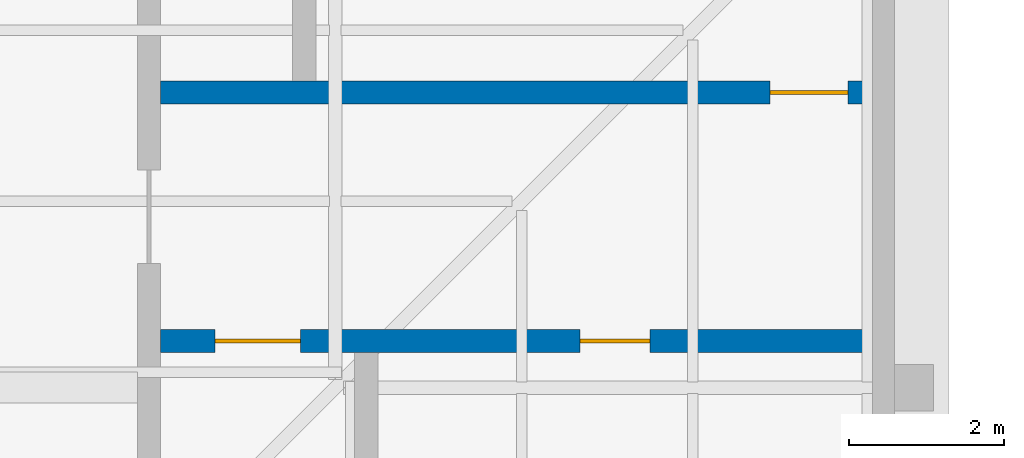
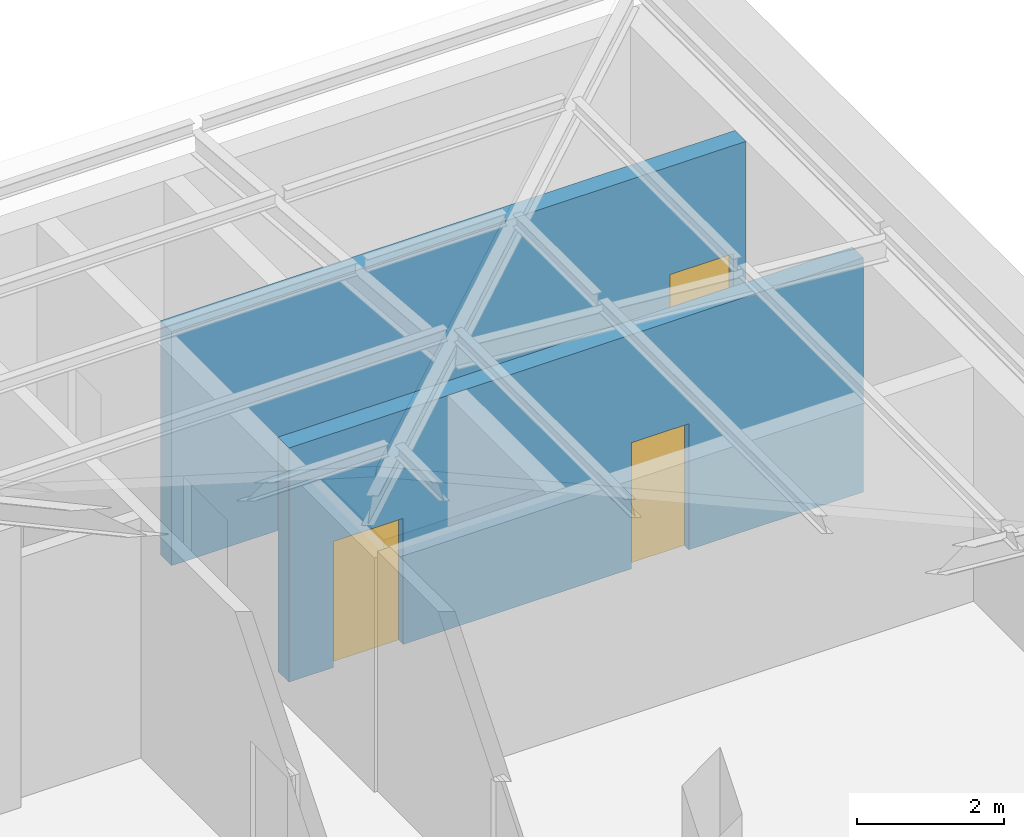
# One storey, part 34 of 48: 3 doors, 2 walls, 3 openings.
"""IFC4 building model written with IfcOpenShell, lengths in metres."""

import ifcopenshell
import ifcopenshell.guid

model = None  # the IFC model being written
_history = None  # IfcOwnerHistory: only IFC2X3 demands one
_inside = {}  # id of a spatial element -> (the spatial element, [elements in it])
_under = {}  # id of a project, library or spatial element -> (it, [spatial elements below it])
_declared = {}  # id of a project -> (the project, [libraries it declares])
_typed = {}  # id of a type object -> (the type object, [elements of that type])
_made_of = {}  # id of a material, layer set ... -> (it, [elements and type objects made of it])


def new_model(schema):
    """Start an empty IFC model of exactly this schema.

    Asked for "IFC4X3", IfcOpenShell would pick the latest addendum, in which some entities
    have other attributes; the version numbers below select the first issue.
    IFC2X3 requires an IfcOwnerHistory on every rooted entity: one is made here for all.
    """
    global model, _history
    if schema == "IFC4X3":
        model = ifcopenshell.file(schema_version=(4, 3, 0, 0))
    else:
        model = ifcopenshell.file(schema=schema)
    _inside.clear()
    _under.clear()
    _declared.clear()
    _typed.clear()
    _made_of.clear()
    _history = None
    if model.schema == "IFC2X3":
        org = make("IfcOrganization", Name="unknown")
        user = make(
            "IfcPersonAndOrganization",
            ThePerson=make("IfcPerson", FamilyName="unknown"),
            TheOrganization=org,
        )
        app = make(
            "IfcApplication",
            ApplicationDeveloper=org,
            Version="unknown",
            ApplicationFullName="unknown",
            ApplicationIdentifier="unknown",
        )
        _history = make(
            "IfcOwnerHistory",
            OwningUser=user,
            OwningApplication=app,
            ChangeAction="ADDED",
            CreationDate=0,
        )
    return model


def make(cls, **values):
    """One entity of the class cls with the attributes given. An attribute that is None is left unset."""
    return model.create_entity(
        cls, **{name: value for name, value in values.items() if value is not None}
    )


def rooted(cls, **values):
    """An entity with a GlobalId (a new one), such as an element, a storey or a relation."""
    return make(cls, GlobalId=ifcopenshell.guid.new(), OwnerHistory=_history, **values)


def si_unit(unit_type, name, prefix=None):
    """IfcSIUnit, for example si_unit("LENGTHUNIT", "METRE", prefix="MILLI")."""
    return make("IfcSIUnit", UnitType=unit_type, Prefix=prefix, Name=name)


def assignment(units):
    """IfcUnitAssignment: the units of a project."""
    return None if units is None else make("IfcUnitAssignment", Units=units)


def point(xyz):
    """IfcCartesianPoint."""
    return None if xyz is None else make("IfcCartesianPoint", Coordinates=xyz)


def direction(xyz):
    """IfcDirection."""
    return None if xyz is None else make("IfcDirection", DirectionRatios=xyz)


def frame(location, z_axis=None, x_axis=None):
    """IfcAxis2Placement3D, a coordinate frame: its origin and axes. An axis left out is left unset."""
    return make(
        "IfcAxis2Placement3D",
        Location=point(location),
        Axis=direction(z_axis),
        RefDirection=direction(x_axis),
    )


def frame_2d(location, x_axis=None):
    """IfcAxis2Placement2D, a coordinate frame in the plane: its origin and x axis."""
    return make(
        "IfcAxis2Placement2D", Location=point(location), RefDirection=direction(x_axis)
    )


def origin():
    """The frame at (0, 0, 0) with its axes left unset."""
    return frame((0.0, 0.0, 0.0))


def place(relative_to, where):
    """IfcLocalPlacement: puts the frame where relative to a parent placement (None: the world)."""
    return make(
        "IfcLocalPlacement", PlacementRelTo=relative_to, RelativePlacement=where
    )


def context(
    kind, dimensions, precision=None, world=None, true_north=None, identifier=None
):
    """IfcGeometricRepresentationContext, for example the 3D "Model" context."""
    return make(
        "IfcGeometricRepresentationContext",
        ContextIdentifier=identifier,
        ContextType=kind,
        CoordinateSpaceDimension=dimensions,
        Precision=precision,
        WorldCoordinateSystem=world,
        TrueNorth=true_north,
    )


def subcontext(parent, identifier, kind, view, scale=None):
    """IfcGeometricRepresentationSubContext, for example "Body" below "Model"."""
    return make(
        "IfcGeometricRepresentationSubContext",
        ContextIdentifier=identifier,
        ContextType=kind,
        ParentContext=parent,
        TargetScale=scale,
        TargetView=view,
    )


def project(units=None, contexts=None):
    """IfcProject with its units and contexts."""
    return rooted(
        "IfcProject",
        Name="project",
        RepresentationContexts=contexts,
        UnitsInContext=assignment(units),
    )


def spatial(cls, under=None, at=None, **own):
    """A site, building, storey or space (cls), placed at a placement, below another one or the project."""
    s = rooted(cls, ObjectPlacement=at, **own)
    if under is not None:
        _under.setdefault(under.id(), (under, []))[1].append(s)
    return s


def profile(cls, at=None, kind="AREA", **sizes):
    """A parametric profile (cls). Its sizes go by their IFC names, for example OverallWidth=200.0."""
    return make(cls, ProfileType=kind, Position=at, **sizes)


def rectangle(**sizes):
    """IfcRectangleProfileDef."""
    return profile("IfcRectangleProfileDef", **sizes)


def extrude(swept, where, along, depth):
    """IfcExtrudedAreaSolid: the profile swept, set in the frame where, extruded along a direction by depth."""
    return make(
        "IfcExtrudedAreaSolid",
        SweptArea=swept,
        Position=where,
        ExtrudedDirection=direction(along),
        Depth=depth,
    )


def shape(context_of_items, identifier, shape_type, items):
    """IfcShapeRepresentation: the items that make up one representation, for example the "Body"."""
    return make(
        "IfcShapeRepresentation",
        ContextOfItems=context_of_items,
        RepresentationIdentifier=identifier,
        RepresentationType=shape_type,
        Items=items,
    )


def material(Name=None, Category=None):
    """IfcMaterial."""
    return make("IfcMaterial", Name=Name, Category=Category)


def layer(
    of_material, thickness, ventilated=None, Name=None, Category=None, Priority=None
):
    """IfcMaterialLayer: one layer of a wall or slab, of a material (None: an air gap)."""
    return make(
        "IfcMaterialLayer",
        Material=of_material,
        LayerThickness=thickness,
        IsVentilated=ventilated,
        Name=Name,
        Category=Category,
        Priority=Priority,
    )


def layer_set(layers, Name=None):
    """IfcMaterialLayerSet."""
    return make("IfcMaterialLayerSet", MaterialLayers=layers, LayerSetName=Name)


def made_of(thing, what):
    """Note that an element or type object is made of a material, layer set ...; save() writes the relation."""
    if what is not None:
        _made_of.setdefault(what.id(), (what, []))[1].append(thing)
    return thing


def type_object(cls, material=None, **own):
    """A type object (cls), such as IfcWallType, which elements share."""
    return made_of(rooted(cls, **own), material)


def element(
    cls,
    number,
    at=None,
    inside=None,
    cuts=None,
    type_object=None,
    material=None,
    context=None,
    identifier="Body",
    shape_type=None,
    held_by="IfcProductDefinitionShape",
    body=None,
    shapes=None,
    **own,
):
    """One element of the class cls, such as IfcWall. Its Tag is "e" and its number.

    at: its placement. inside: the storey or other place that contains it. cuts: it is an
    opening in that element (IfcRelVoidsElement). A single representation is given by context,
    identifier, shape_type and body (its items); several are given by shapes. held_by: the class
    of the entity that holds the representations. save() writes the other relations.
    """
    e = rooted(cls, Tag="e%d" % number, ObjectPlacement=at, **own)
    if body is not None:
        shapes = [shape(context, identifier, shape_type, body)]
    if shapes is not None:
        e.Representation = make(held_by, Representations=shapes)
    if inside is not None:
        _inside.setdefault(inside.id(), (inside, []))[1].append(e)
    if cuts is not None:
        rooted(
            "IfcRelVoidsElement", RelatingBuildingElement=cuts, RelatedOpeningElement=e
        )
    if type_object is not None:
        _typed.setdefault(type_object.id(), (type_object, []))[1].append(e)
    return made_of(e, material)


def fill(opening, filler):
    """IfcRelFillsElement: the door or window that sits in an opening."""
    return rooted(
        "IfcRelFillsElement",
        RelatingOpeningElement=opening,
        RelatedBuildingElement=filler,
    )


def aggregate(whole, parts):
    """IfcRelAggregates: a whole, such as a stair, and the parts it consists of."""
    return rooted("IfcRelAggregates", RelatingObject=whole, RelatedObjects=parts)


def save(model, path):
    """Write the relations noted so far, then the file.

    IfcRelAggregates (storeys below a building ...), IfcRelContainedInSpatialStructure (elements
    in a storey), IfcRelDefinesByType, IfcRelAssociatesMaterial and IfcRelDeclares: one each for
    every whole, place, type object, material and project.
    """
    for whole, parts in _under.values():
        aggregate(whole, parts)
    for where, things in _inside.values():
        rooted(
            "IfcRelContainedInSpatialStructure",
            RelatedElements=things,
            RelatingStructure=where,
        )
    for kind, things in _typed.values():
        rooted("IfcRelDefinesByType", RelatedObjects=things, RelatingType=kind)
    for what, things in _made_of.values():
        rooted("IfcRelAssociatesMaterial", RelatedObjects=things, RelatingMaterial=what)
    for by, libraries in _declared.values():
        rooted("IfcRelDeclares", RelatingContext=by, RelatedDefinitions=libraries)
    model.write(path)


model = new_model("IFC4")

# Units and contexts
model_context = context("Model", 3, precision=1e-05, world=origin(), true_north=direction((0.0, 1.0)))
body_context = subcontext(model_context, "Body", "Model", "MODEL_VIEW")
ifc_project = project(units=[si_unit("LENGTHUNIT", "METRE"), si_unit("AREAUNIT", "SQUARE_METRE"), si_unit("VOLUMEUNIT", "CUBIC_METRE"), si_unit("PLANEANGLEUNIT", "RADIAN"), si_unit("MASSUNIT", "GRAM", prefix="KILO")], contexts=[model_context])

# Site, building, storey
site_placement = place(None, origin())
site = spatial("IfcSite", under=ifc_project, at=site_placement, CompositionType="ELEMENT")
building_placement = place(site_placement, origin())
building = spatial("IfcBuilding", under=site, at=building_placement, Name="Alderwick Market Hall", CompositionType="ELEMENT")
storey_placement = place(building_placement, frame((0.0, 0.0, 14.39990234375)))
storey = spatial("IfcBuildingStorey", under=building, at=storey_placement, Name="L02", CompositionType="ELEMENT", Elevation=14.39990234375)

# Wall, openings, doors
ifc_material_1 = material(Name="Concrete 5000 psi (f'c 35 MPa)", Category="concrete")
ifc_layer = layer(ifc_material_1, 0.300048828125)
ifc_layer_set = layer_set([ifc_layer], Name="Concrete 5000 psi (f'c 35 MPa)")
wall_type = type_object("IfcWallType", Name="B RC Core Wall 300", PredefinedType="SHEAR", material=ifc_layer_set)
wall_1_placement = place(storey_placement, frame((33.75, 123.0, 0.0), z_axis=(0.0, 0.0, 1.0), x_axis=(1.0, 0.0, 0.0)))
wall_1 = element("IfcWall", 1, at=wall_1_placement, inside=storey, type_object=wall_type, Name="B.N.wall.L02.016", PredefinedType="SHEAR", context=body_context, shape_type="SweptSolid", body=[
    extrude(rectangle(XDim=9.050048828125, YDim=0.300048828125, at=frame_2d((4.52490234375, 0.0))), origin(), (0.0, 0.0, 1.0), 3.900146484375),
])
opening_1_placement = place(wall_1_placement, frame((0.699951171875, 0.0, 0.0)))
opening_1 = element("IfcOpeningElement", 2, at=opening_1_placement, cuts=wall_1, Name="Opening B-D077", PredefinedType="OPENING", context=body_context, shape_type="SweptSolid", body=[
    extrude(rectangle(XDim=1.10009765625, YDim=2.10009765625, at=frame_2d((0.550048828125, 1.050048828125))), frame((0.0, 0.159912109375, 0.0), z_axis=(0.0, -1.0, 0.0), x_axis=(1.0, 0.0, 0.0)), (0.0, 0.0, 1.0), 0.320068359375),
])
opening_2_placement = place(wall_1_placement, frame((5.39990234375, 0.0, 0.0)))
opening_2 = element("IfcOpeningElement", 3, at=opening_2_placement, cuts=wall_1, Name="Opening B-D078", PredefinedType="OPENING", context=body_context, shape_type="SweptSolid", body=[
    extrude(rectangle(XDim=0.89990234375, YDim=2.10009765625, at=frame_2d((0.449951171875, 1.050048828125))), frame((0.0, 0.159912109375, 0.0), z_axis=(0.0, -1.0, 0.0), x_axis=(1.0, 0.0, 0.0)), (0.0, 0.0, 1.0), 0.320068359375),
])
ifc_material_2 = material(Name="Hollow metal door and frame")
door_type_1 = type_object("IfcDoorType", Name="B Door 900x2100", OperationType="SINGLE_SWING_LEFT", PredefinedType="DOOR", material=ifc_material_2)
door_1_placement = place(opening_2_placement, origin())
door_1 = element("IfcDoor", 4, at=door_1_placement, inside=storey, type_object=door_type_1, Name="Cleaners store door", OperationType="SINGLE_SWING_RIGHT", OverallHeight=2.10009765625, OverallWidth=0.89990234375, PredefinedType="DOOR", context=body_context, shape_type="SweptSolid", body=[
    extrude(rectangle(XDim=0.89990234375, YDim=2.10009765625, at=frame_2d((0.449951171875, 1.050048828125))), frame((0.0, 0.02490234375, 0.0), z_axis=(0.0, -1.0, 0.0), x_axis=(1.0, 0.0, 0.0)), (0.0, 0.0, 1.0), 0.050048828125),
])
fill(opening_2, door_1)
ifc_material_3 = material(Name="Stainless steel landing door", Category="steel")
door_type_2 = type_object("IfcDoorType", Name="B Lift Landing Door 1100x2100", OperationType="SLIDING_TO_LEFT", PredefinedType="DOOR", material=ifc_material_3)
door_2_placement = place(opening_1_placement, origin())
door_2 = element("IfcDoor", 5, at=door_2_placement, inside=storey, type_object=door_type_2, Name="Lift N-1 landing door L02", OperationType="SLIDING_TO_LEFT", OverallHeight=2.10009765625, OverallWidth=1.10009765625, PredefinedType="DOOR", context=body_context, shape_type="SweptSolid", body=[
    extrude(rectangle(XDim=1.10009765625, YDim=2.10009765625, at=frame_2d((0.550048828125, 1.050048828125))), frame((0.0, 0.02490234375, 0.0), z_axis=(0.0, -1.0, 0.0), x_axis=(1.0, 0.0, 0.0)), (0.0, 0.0, 1.0), 0.050048828125),
])
fill(opening_1, door_2)

# Wall, opening, door
wall_2_placement = place(storey_placement, frame((33.75, 126.199951171875, 0.0), z_axis=(0.0, 0.0, 1.0), x_axis=(1.0, 0.0, 0.0)))
wall_2 = element("IfcWall", 6, at=wall_2_placement, inside=storey, type_object=wall_type, Name="B.N.wall.L02.017", PredefinedType="SHEAR", context=body_context, shape_type="SweptSolid", body=[
    extrude(rectangle(XDim=9.050048828125, YDim=0.300048828125, at=frame_2d((4.52490234375, 0.0))), origin(), (0.0, 0.0, 1.0), 3.900146484375),
])
opening_3_placement = place(wall_2_placement, frame((7.85009765625, 0.0, 0.0)))
opening_3 = element("IfcOpeningElement", 7, at=opening_3_placement, cuts=wall_2, Name="Opening B-D074", PredefinedType="OPENING", context=body_context, shape_type="SweptSolid", body=[
    extrude(rectangle(XDim=1.0, YDim=2.10009765625, at=frame_2d((0.5, 1.050048828125))), frame((0.0, 0.159912109375, 0.0), z_axis=(0.0, -1.0, 0.0), x_axis=(1.0, 0.0, 0.0)), (0.0, 0.0, 1.0), 0.320068359375),
])
ifc_material_4 = material(Name="Hollow metal fire door and frame")
door_type_3 = type_object("IfcDoorType", Name="B Fire Door 1000x2100", OperationType="SINGLE_SWING_LEFT", PredefinedType="DOOR", material=ifc_material_4)
door_3_placement = place(opening_3_placement, origin())
door_3 = element("IfcDoor", 8, at=door_3_placement, inside=storey, type_object=door_type_3, Name="Stair N-1 lobby door", OperationType="SINGLE_SWING_RIGHT", OverallHeight=2.10009765625, OverallWidth=1.0, PredefinedType="DOOR", context=body_context, shape_type="SweptSolid", body=[
    extrude(rectangle(XDim=1.0, YDim=2.10009765625, at=frame_2d((0.5, 1.050048828125))), frame((0.0, 0.02490234375, 0.0), z_axis=(0.0, -1.0, 0.0), x_axis=(1.0, 0.0, 0.0)), (0.0, 0.0, 1.0), 0.050048828125),
])
fill(opening_3, door_3)

save(model, "model.ifc")
